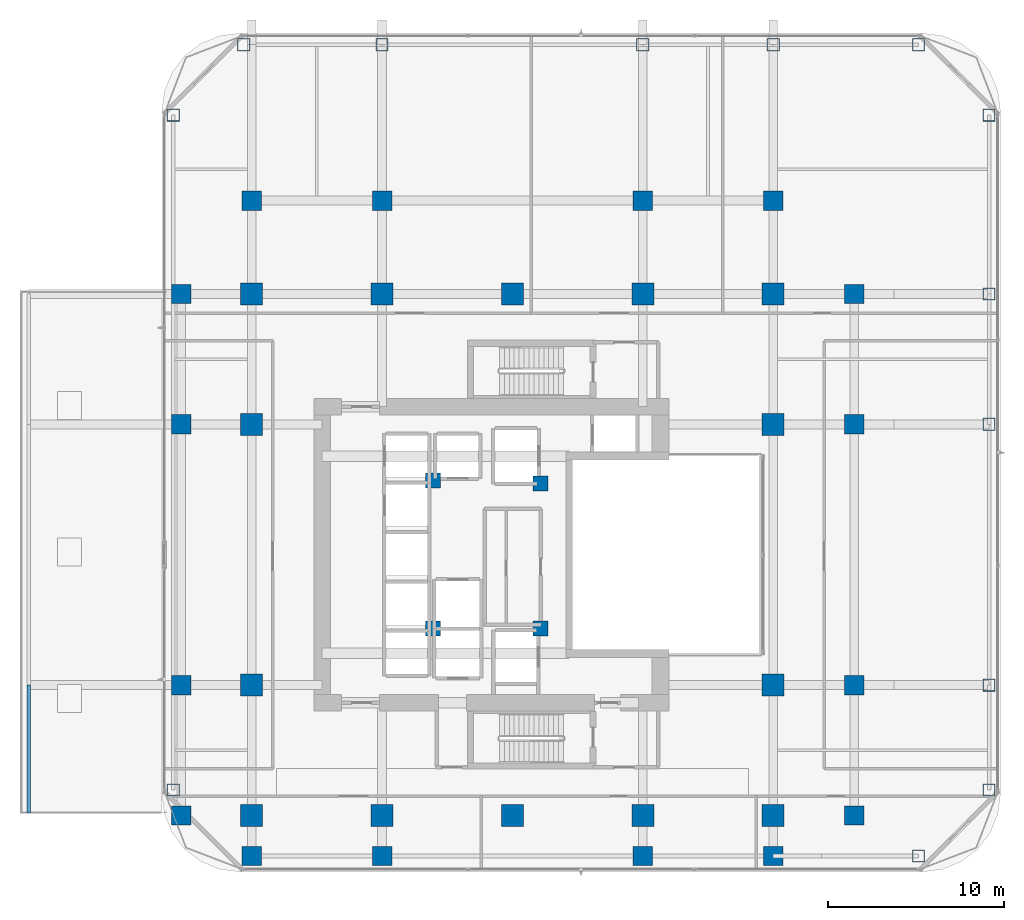
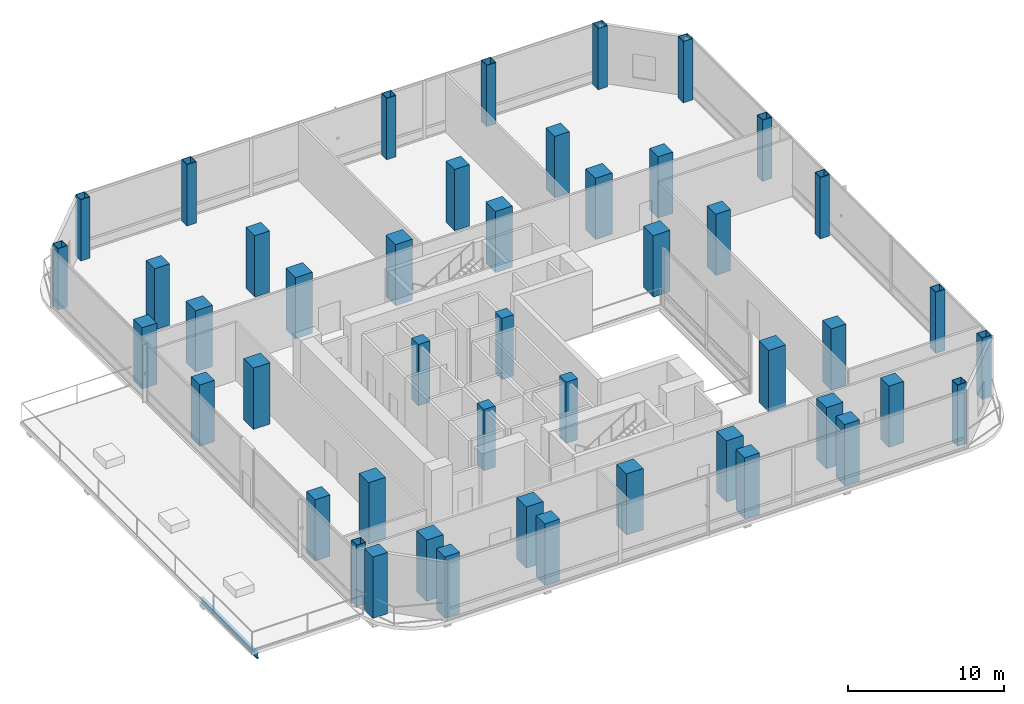
# One storey, part 1 of 28: 47 columns, 1 beam.
"""IFC4 building model written with IfcOpenShell, lengths in metres."""

from ifc_helpers import new_model, si_unit, direction, frame, origin, origin_2d, place, context, subcontext, project, spatial, rectangle, hollow_rectangle, i_section, extrude, material, material_profile, profile_set, type_object, element, save


model = new_model("IFC4")

# Units and contexts
model_context = context("Model", 3, precision=1e-05, world=origin(), true_north=direction((0.0, 1.0)))
body_context = subcontext(model_context, "Body", "Model", "MODEL_VIEW")
ifc_project = project(units=[si_unit("LENGTHUNIT", "METRE"), si_unit("AREAUNIT", "SQUARE_METRE"), si_unit("VOLUMEUNIT", "CUBIC_METRE"), si_unit("PLANEANGLEUNIT", "RADIAN"), si_unit("MASSUNIT", "GRAM", prefix="KILO")], contexts=[model_context])

# Site, building, storey
site_placement = place(None, origin())
site = spatial("IfcSite", under=ifc_project, at=site_placement, CompositionType="ELEMENT")
building_placement = place(site_placement, origin())
building = spatial("IfcBuilding", under=site, at=building_placement, Name="Khorvyn Point Tower", CompositionType="ELEMENT")
storey_placement = place(building_placement, frame((0.0, 0.0, 108.60009765625)))
storey = spatial("IfcBuildingStorey", under=building, at=storey_placement, Name="L27", CompositionType="ELEMENT", Elevation=108.60009765625)

# Columns
ifc_material_1 = material(Name="Concrete C40/50", Category="concrete")
ifc_material_profile_1 = material_profile(ifc_material_1, rectangle(XDim=0.85009765625, YDim=0.85009765625, at=origin_2d()))
ifc_profile_set_1 = profile_set([ifc_material_profile_1], Name="Concrete C40/50 RC850x850")
column_type_1 = type_object("IfcColumnType", Name="Concrete C40/50 Column RC850x850", PredefinedType="COLUMN", material=ifc_profile_set_1)
for number, where, z_axis, x_axis, name in (
    (1, (-4.52001953125, -4.199951171875, 0.0), (0.0, 0.0, 1.0), (1.0, 0.0, 0.0), "L27 Crown Core Spine Column 1"),
    (2, (1.580078125, -4.179931640625, 0.0), (0.0, 0.0, 1.0), (1.0, 0.0, 0.0), "L27 Crown Core Spine Column 2"),
    (3, (1.580078125, 4.050048828125, 0.0), (0.0, 0.0, 1.0), (1.0, 0.0, 0.0), "L27 Crown Core Spine Column 3"),
    (4, (-4.52001953125, 4.199951171875, 0.0), (0.0, 0.0, 1.0), (1.0, 0.0, 0.0), "L27 Crown Core Spine Column 4"),
):
    element("IfcColumn", number, at=place(storey_placement, frame(where, z_axis=z_axis, x_axis=x_axis)), inside=storey, type_object=column_type_1, Name=name, PredefinedType="COLUMN", context=body_context, shape_type="SweptSolid", body=[
        extrude(rectangle(XDim=0.85009765625, YDim=0.85009765625, at=origin_2d()), origin(), (0.0, 0.0, 1.0), 4.7998046875),
    ])
ifc_material_2 = material(Name="Concrete C45/55", Category="concrete")
ifc_material_profile_2 = material_profile(ifc_material_2, rectangle(XDim=1.10009765625, YDim=1.10009765625, at=origin_2d()))
ifc_profile_set_2 = profile_set([ifc_material_profile_2], Name="Concrete C45/55 RC1100x1100")
column_type_2 = type_object("IfcColumnType", Name="Concrete C45/55 Column RC1100x1100", PredefinedType="COLUMN", material=ifc_profile_set_2)
for number, where, z_axis, x_axis, name in (
    (5, (-18.800048828125, -14.800048828125, 0.0), (0.0, 0.0, 1.0), (1.0, 0.0, 0.0), "L27 Intermediate Column ICW--14"),
    (6, (-18.800048828125, -7.39990234375, 0.0), (0.0, 0.0, 1.0), (1.0, 0.0, 0.0), "L27 Intermediate Column ICW--7"),
    (7, (-18.800048828125, 7.39990234375, 0.0), (0.0, 0.0, 1.0), (1.0, 0.0, 0.0), "L27 Intermediate Column ICW-7"),
    (8, (-18.800048828125, 14.800048828125, 0.0), (0.0, 0.0, 1.0), (1.0, 0.0, 0.0), "L27 Intermediate Column ICW-14"),
    (9, (19.39990234375, -14.800048828125, 0.0), (0.0, 0.0, 1.0), (1.0, 0.0, 0.0), "L27 Intermediate Column ICE--14"),
    (10, (19.39990234375, -7.39990234375, 0.0), (0.0, 0.0, 1.0), (1.0, 0.0, 0.0), "L27 Intermediate Column ICE--7"),
    (11, (19.39990234375, 7.39990234375, 0.0), (0.0, 0.0, 1.0), (1.0, 0.0, 0.0), "L27 Intermediate Column ICE-7"),
    (12, (19.39990234375, 14.800048828125, 0.0), (0.0, 0.0, 1.0), (1.0, 0.0, 0.0), "L27 Intermediate Column ICE-14"),
    (13, (-14.800048828125, -17.10009765625, 0.0), (0.0, 0.0, 1.0), (1.0, 0.0, 0.0), "L27 Intermediate Column ICS--14"),
    (14, (-7.39990234375, -17.10009765625, 0.0), (0.0, 0.0, 1.0), (1.0, 0.0, 0.0), "L27 Intermediate Column ICS--7"),
    (15, (7.39990234375, -17.10009765625, 0.0), (0.0, 0.0, 1.0), (1.0, 0.0, 0.0), "L27 Intermediate Column ICS-7"),
    (16, (14.800048828125, -17.10009765625, 0.0), (0.0, 0.0, 1.0), (1.0, 0.0, 0.0), "L27 Intermediate Column ICS-14"),
    (17, (-14.800048828125, 20.10009765625, 0.0), (0.0, 0.0, 1.0), (1.0, 0.0, 0.0), "L27 Intermediate Column ICN--14"),
    (18, (-7.39990234375, 20.10009765625, 0.0), (0.0, 0.0, 1.0), (1.0, 0.0, 0.0), "L27 Intermediate Column ICN--7"),
    (19, (7.39990234375, 20.10009765625, 0.0), (0.0, 0.0, 1.0), (1.0, 0.0, 0.0), "L27 Intermediate Column ICN-7"),
    (20, (14.800048828125, 20.10009765625, 0.0), (0.0, 0.0, 1.0), (1.0, 0.0, 0.0), "L27 Intermediate Column ICN-14"),
):
    element("IfcColumn", number, at=place(storey_placement, frame(where, z_axis=z_axis, x_axis=x_axis)), inside=storey, type_object=column_type_2, Name=name, PredefinedType="COLUMN", context=body_context, shape_type="SweptSolid", body=[
        extrude(rectangle(XDim=1.10009765625, YDim=1.10009765625, at=origin_2d()), origin(), (0.0, 0.0, 1.0), 4.7998046875),
    ])
ifc_material_3 = material(Name="Concrete C50/60", Category="concrete")
ifc_material_profile_3 = material_profile(ifc_material_3, rectangle(XDim=1.25, YDim=1.25, at=origin_2d()))
ifc_profile_set_3 = profile_set([ifc_material_profile_3], Name="Concrete C50/60 RC1250x1250")
column_type_3 = type_object("IfcColumnType", Name="Concrete C50/60 Column RC1250x1250", PredefinedType="COLUMN", material=ifc_profile_set_3)
for number, where, z_axis, x_axis, name in (
    (21, (-14.800048828125, -14.800048828125, 0.0), (0.0, 0.0, 1.0), (1.0, 0.0, 0.0), "L27 Mega-Column MC-01"),
    (22, (-7.39990234375, -14.800048828125, 0.0), (0.0, 0.0, 1.0), (1.0, 0.0, 0.0), "L27 Mega-Column MC-02"),
    (23, (0.0, -14.800048828125, 0.0), (0.0, 0.0, 1.0), (1.0, 0.0, 0.0), "L27 Mega-Column MC-03"),
    (24, (7.39990234375, -14.800048828125, 0.0), (0.0, 0.0, 1.0), (1.0, 0.0, 0.0), "L27 Mega-Column MC-04"),
    (25, (14.800048828125, -14.800048828125, 0.0), (0.0, 0.0, 1.0), (1.0, 0.0, 0.0), "L27 Mega-Column MC-05"),
    (26, (-14.800048828125, 14.800048828125, 0.0), (0.0, 0.0, 1.0), (1.0, 0.0, 0.0), "L27 Mega-Column MC-06"),
    (27, (-7.39990234375, 14.800048828125, 0.0), (0.0, 0.0, 1.0), (1.0, 0.0, 0.0), "L27 Mega-Column MC-07"),
    (28, (0.0, 14.800048828125, 0.0), (0.0, 0.0, 1.0), (1.0, 0.0, 0.0), "L27 Mega-Column MC-08"),
    (29, (7.39990234375, 14.800048828125, 0.0), (0.0, 0.0, 1.0), (1.0, 0.0, 0.0), "L27 Mega-Column MC-09"),
    (30, (14.800048828125, 14.800048828125, 0.0), (0.0, 0.0, 1.0), (1.0, 0.0, 0.0), "L27 Mega-Column MC-10"),
    (31, (-14.800048828125, -7.39990234375, 0.0), (0.0, 0.0, 1.0), (1.0, 0.0, 0.0), "L27 Mega-Column MC-11"),
    (32, (-14.800048828125, 7.39990234375, 0.0), (0.0, 0.0, 1.0), (1.0, 0.0, 0.0), "L27 Mega-Column MC-12"),
    (33, (14.800048828125, -7.39990234375, 0.0), (0.0, 0.0, 1.0), (1.0, 0.0, 0.0), "L27 Mega-Column MC-13"),
    (34, (14.800048828125, 7.39990234375, 0.0), (0.0, 0.0, 1.0), (1.0, 0.0, 0.0), "L27 Mega-Column MC-14"),
):
    element("IfcColumn", number, at=place(storey_placement, frame(where, z_axis=z_axis, x_axis=x_axis)), inside=storey, type_object=column_type_3, Name=name, PredefinedType="COLUMN", context=body_context, shape_type="SweptSolid", body=[
        extrude(rectangle(XDim=1.25, YDim=1.25, at=origin_2d()), origin(), (0.0, 0.0, 1.0), 4.7998046875),
    ])
ifc_material_4 = material(Name="Steel S450", Category="steel")
ifc_material_profile_4 = material_profile(ifc_material_4, hollow_rectangle(XDim=0.699951171875, YDim=0.699951171875, WallThickness=0.031982421875, at=origin_2d()))
ifc_profile_set_4 = profile_set([ifc_material_profile_4], Name="Steel S450 BOX700x700x32")
column_type_4 = type_object("IfcColumnType", Name="Steel S450 Structural Column BOX700x700x32", PredefinedType="COLUMN", material=ifc_profile_set_4)
for number, where, z_axis, x_axis, name in (
    (35, (23.050048828125, -17.10009765625, 0.0), (0.0, 0.0, 1.0), (1.0, 0.0, 0.0), "L27 Perimeter Tube Column TC-01"),
    (36, (-15.25, 28.949951171875, 0.0), (0.0, 0.0, 1.0), (1.0, 0.0, 0.0), "L27 Perimeter Tube Column TC-02"),
    (37, (23.050048828125, 28.949951171875, 0.0), (0.0, 0.0, 1.0), (1.0, 0.0, 0.0), "L27 Perimeter Tube Column TC-03"),
    (38, (-19.25, -13.35009765625, 0.0), (0.0, 0.0, 1.0), (1.0, 0.0, 0.0), "L27 Perimeter Tube Column TC-04"),
    (39, (-19.25, 24.949951171875, 0.0), (0.0, 0.0, 1.0), (1.0, 0.0, 0.0), "L27 Perimeter Tube Column TC-05"),
    (40, (27.050048828125, -13.35009765625, 0.0), (0.0, 0.0, 1.0), (1.0, 0.0, 0.0), "L27 Perimeter Tube Column TC-06"),
    (41, (27.050048828125, 24.949951171875, 0.0), (0.0, 0.0, 1.0), (1.0, 0.0, 0.0), "L27 Perimeter Tube Column TC-07"),
    (42, (-7.39990234375, 28.949951171875, 0.0), (0.0, 0.0, 1.0), (1.0, 0.0, 0.0), "L27 Perimeter Tube Column TC-08"),
    (43, (7.39990234375, 28.949951171875, 0.0), (0.0, 0.0, 1.0), (1.0, 0.0, 0.0), "L27 Perimeter Tube Column TC-09"),
    (44, (14.800048828125, 28.949951171875, 0.0), (0.0, 0.0, 1.0), (1.0, 0.0, 0.0), "L27 Perimeter Tube Column TC-10"),
    (45, (27.050048828125, -7.39990234375, 0.0), (0.0, 0.0, 1.0), (1.0, 0.0, 0.0), "L27 Perimeter Tube Column TC-11"),
    (46, (27.050048828125, 7.39990234375, 0.0), (0.0, 0.0, 1.0), (1.0, 0.0, 0.0), "L27 Perimeter Tube Column TC-12"),
    (47, (27.050048828125, 14.800048828125, 0.0), (0.0, 0.0, 1.0), (1.0, 0.0, 0.0), "L27 Perimeter Tube Column TC-13"),
):
    element("IfcColumn", number, at=place(storey_placement, frame(where, z_axis=z_axis, x_axis=x_axis)), inside=storey, type_object=column_type_4, Name=name, PredefinedType="COLUMN", context=body_context, shape_type="SweptSolid", body=[
        extrude(hollow_rectangle(XDim=0.699951171875, YDim=0.699951171875, WallThickness=0.031982421875, at=origin_2d()), origin(), (0.0, 0.0, 1.0), 4.7998046875),
    ])

# Beam
ifc_material_5 = material(Name="Steel S355", Category="steel")
ifc_material_profile_5 = material_profile(ifc_material_5, i_section(OverallWidth=0.199951171875, OverallDepth=0.449951171875, WebThickness=0.009033203125, FlangeThickness=0.013916015625, at=origin_2d()))
ifc_profile_set_5 = profile_set([ifc_material_profile_5], Name="Steel S355 H450x200x9x14")
beam_type = type_object("IfcBeamType", Name="Steel S355 Spandrel H450x200x9x14", PredefinedType="SPANDREL", material=ifc_profile_set_5)
beam_placement = place(storey_placement, frame((-27.449951171875, -14.64990234375, -0.505126953125), z_axis=(0.0, 1.0, 0.0), x_axis=(-1.0, 0.0, 0.0)))
element("IfcBeam", 48, at=beam_placement, inside=storey, type_object=beam_type, Name="Beam", PredefinedType="SPANDREL", context=body_context, shape_type="SweptSolid", body=[
    extrude(i_section(OverallWidth=0.199951171875, OverallDepth=0.449951171875, WebThickness=0.009033203125, FlangeThickness=0.013916015625, at=origin_2d()), origin(), (0.0, 0.0, 1.0), 7.25),
])

save(model, "model.ifc")
